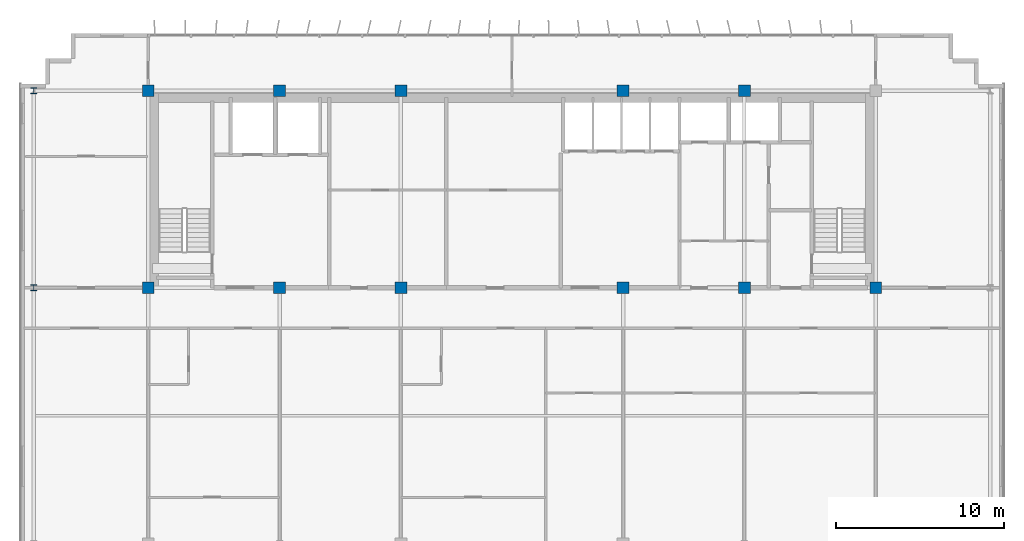
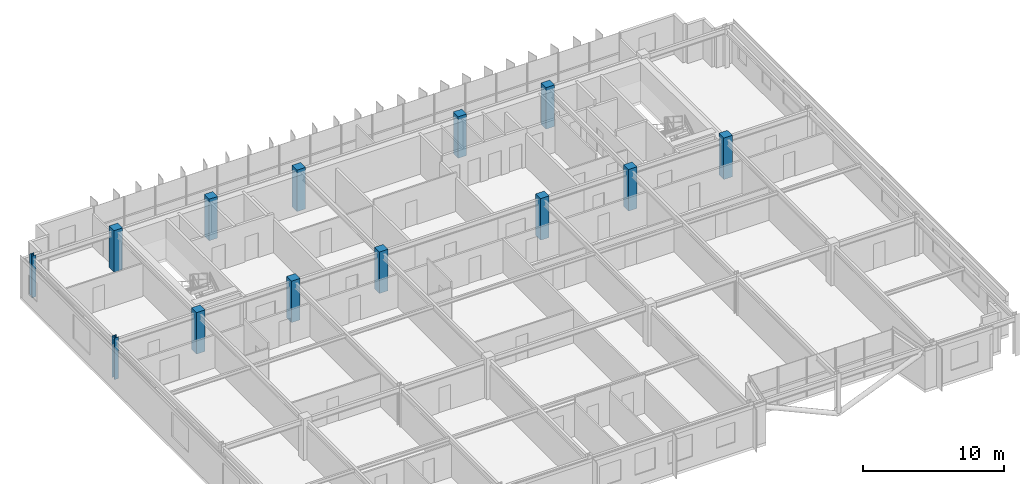
# One storey, part 3 of 27: 13 columns.
"""IFC4 building model written with IfcOpenShell, lengths in metres."""

from ifc_helpers import new_model, si_unit, direction, frame, origin, origin_2d, place, context, subcontext, project, spatial, rectangle, i_section, extrude, source, transform, mapped, material, material_profile, profile_set, type_object, element, save


model = new_model("IFC4")

# Units and contexts
model_context = context("Model", 3, precision=1e-05, world=origin(), true_north=direction((0.0, 1.0)))
body_context = subcontext(model_context, "Body", "Model", "MODEL_VIEW")
ifc_project = project(units=[si_unit("LENGTHUNIT", "METRE"), si_unit("AREAUNIT", "SQUARE_METRE"), si_unit("VOLUMEUNIT", "CUBIC_METRE"), si_unit("PLANEANGLEUNIT", "RADIAN"), si_unit("MASSUNIT", "GRAM", prefix="KILO")], contexts=[model_context])

# Site, building, storey
site_placement = place(None, origin())
site = spatial("IfcSite", under=ifc_project, at=site_placement, CompositionType="ELEMENT")
building_placement = place(site_placement, origin())
building = spatial("IfcBuilding", under=site, at=building_placement, Name="Trelvane Seafront Commons", CompositionType="ELEMENT")
storey_placement = place(building_placement, frame((0.0, 0.0, 233.699951171875)))
storey = spatial("IfcBuildingStorey", under=building, at=storey_placement, Name="L61", CompositionType="ELEMENT", Elevation=233.699951171875)

# Columns
ifc_material_1 = material(Name="Concrete C50/60", Category="concrete")
ifc_material_profile_1 = material_profile(ifc_material_1, rectangle(XDim=0.699951171875, YDim=0.699951171875, at=origin_2d()), Name="RC-700x700")
ifc_profile_set_1 = profile_set([ifc_material_profile_1], Name="Concrete C50/60")
column_type_1 = type_object("IfcColumnType", Name="STR-COL-RC700", PredefinedType="COLUMN", material=ifc_profile_set_1)
shared_shape_1 = source(origin(), body_context, "Body", "SweptSolid", [
    extrude(rectangle(XDim=0.699951171875, YDim=0.699951171875, at=origin_2d()), origin(), (0.0, 0.0, 1.0), 3.60009765625),
])
for number, where, z_axis, x_axis, name in (
    (1, (15.60009765625, 33.39990234375, 0.0), (0.0, 0.0, 1.0), (1.0, 0.0, 0.0), "L61 Column TC-CS15.6"),
    (2, (15.60009765625, 45.10009765625, 0.0), (0.0, 0.0, 1.0), (1.0, 0.0, 0.0), "L61 Column TC-CN15.6"),
    (3, (23.39990234375, 33.39990234375, 0.0), (0.0, 0.0, 1.0), (1.0, 0.0, 0.0), "L61 Column TC-CS23.4"),
    (4, (23.39990234375, 45.10009765625, 0.0), (0.0, 0.0, 1.0), (1.0, 0.0, 0.0), "L61 Column TC-CN23.4"),
    (5, (30.60009765625, 33.39990234375, 0.0), (0.0, 0.0, 1.0), (1.0, 0.0, 0.0), "L61 Column TC-CS30.6"),
    (6, (30.60009765625, 45.10009765625, 0.0), (0.0, 0.0, 1.0), (1.0, 0.0, 0.0), "L61 Column TC-CN30.6"),
    (7, (43.800048828125, 33.39990234375, 0.0), (0.0, 0.0, 1.0), (1.0, 0.0, 0.0), "L61 Column TC-CS43.8"),
    (8, (43.800048828125, 45.10009765625, 0.0), (0.0, 0.0, 1.0), (1.0, 0.0, 0.0), "L61 Column TC-CN43.8"),
    (9, (51.0, 33.39990234375, 0.0), (0.0, 0.0, 1.0), (1.0, 0.0, 0.0), "L61 Column TC-CS51.0"),
    (10, (51.0, 45.10009765625, 0.0), (0.0, 0.0, 1.0), (1.0, 0.0, 0.0), "L61 Column TC-CN51.0"),
    (11, (58.800048828125, 33.39990234375, 0.0), (0.0, 0.0, 1.0), (1.0, 0.0, 0.0), "L61 Column TC-CS58.8"),
):
    element("IfcColumn", number, at=place(storey_placement, frame(where, z_axis=z_axis, x_axis=x_axis)), inside=storey, type_object=column_type_1, Name=name, PredefinedType="COLUMN", context=body_context, shape_type="MappedRepresentation", body=[
        mapped(shared_shape_1, transform((0.0, 0.0, 0.0), x_axis=(1.0, 0.0, 0.0), y_axis=(0.0, 1.0, 0.0), z_axis=(0.0, 0.0, 1.0), scale=1.0)),
    ])
ifc_material_2 = material(Name="Steel SM355 (S355)", Category="steel")
ifc_material_profile_2 = material_profile(ifc_material_2, i_section(OverallWidth=0.35009765625, OverallDepth=0.35009765625, WebThickness=0.01806640625, FlangeThickness=0.028076171875, at=origin_2d()), Name="HD-350x350x18x28")
ifc_profile_set_2 = profile_set([ifc_material_profile_2], Name="Steel SM355 (S355)")
column_type_2 = type_object("IfcColumnType", Name="STR-COL-HD350", PredefinedType="COLUMN", material=ifc_profile_set_2)
shared_shape_2 = source(origin(), body_context, "Body", "SweptSolid", [
    extrude(i_section(OverallWidth=0.35009765625, OverallDepth=0.35009765625, WebThickness=0.01806640625, FlangeThickness=0.028076171875, at=origin_2d()), origin(), (0.0, 0.0, 1.0), 3.60009765625),
])
for number, where, z_axis, x_axis, name in (
    (12, (8.800048828125, 33.39990234375, 0.0), (0.0, 0.0, 1.0), (1.0, 0.0, 0.0), "L61 Column TC-CS8.8"),
    (13, (8.800048828125, 45.10009765625, 0.0), (0.0, 0.0, 1.0), (1.0, 0.0, 0.0), "L61 Column TC-CN8.8"),
):
    element("IfcColumn", number, at=place(storey_placement, frame(where, z_axis=z_axis, x_axis=x_axis)), inside=storey, type_object=column_type_2, Name=name, PredefinedType="COLUMN", context=body_context, shape_type="MappedRepresentation", body=[
        mapped(shared_shape_2, transform((0.0, 0.0, 0.0), x_axis=(1.0, 0.0, 0.0), y_axis=(0.0, 1.0, 0.0), z_axis=(0.0, 0.0, 1.0), scale=1.0)),
    ])

save(model, "model.ifc")
